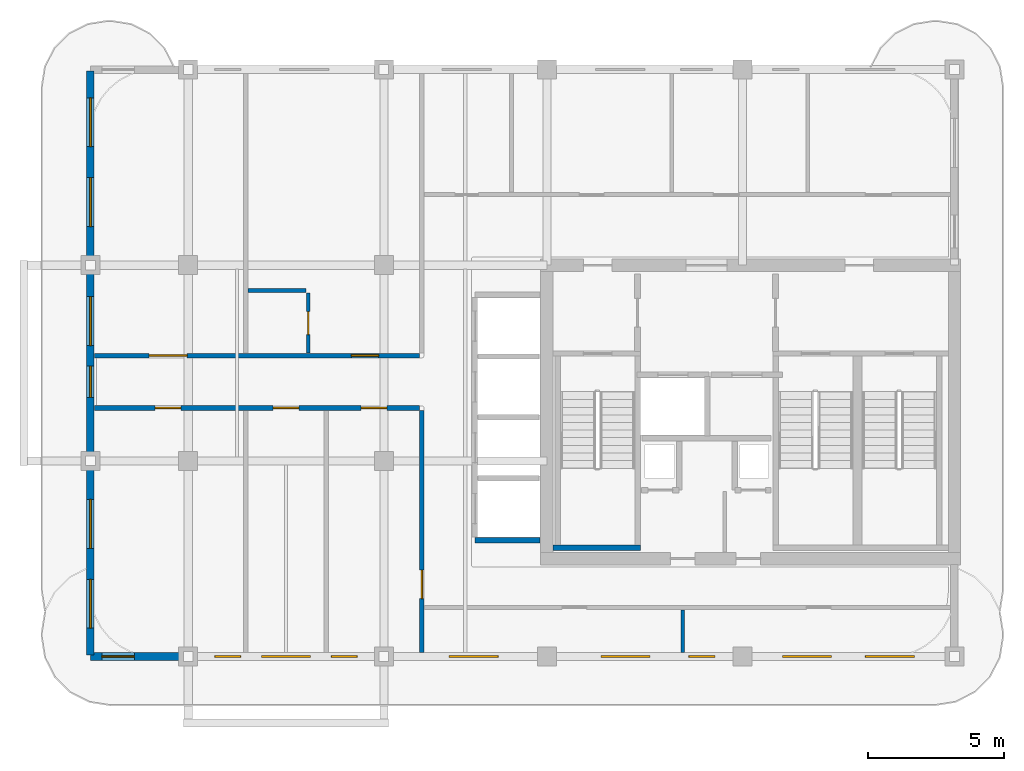
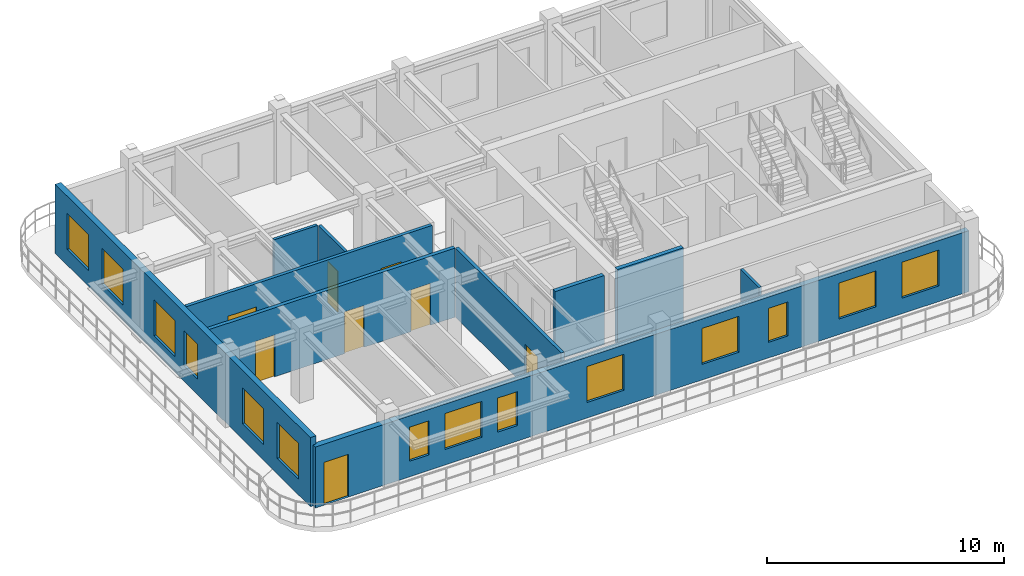
# One storey, part 2 of 7: 14 windows, 10 walls, 8 doors, 22 openings.
"""IFC4 building model written with IfcOpenShell, lengths in metres."""

from ifc_helpers import new_model, si_unit, derived_unit, direction, frame, frame_2d, origin, place, context, subcontext, project, spatial, rectangle, extrude, source, transform, mapped, material, layer, layer_set, type_object, type_shapes, element, fill, save


model = new_model("IFC4")

# Units and contexts
model_context = context("Model", 3, precision=1e-05, world=origin(), true_north=direction((0.0, 1.0)))
body_context = subcontext(model_context, "Body", "Model", "MODEL_VIEW")
ifc_project = project(units=[si_unit("LENGTHUNIT", "METRE"), si_unit("AREAUNIT", "SQUARE_METRE"), si_unit("VOLUMEUNIT", "CUBIC_METRE"), si_unit("PLANEANGLEUNIT", "RADIAN"), si_unit("MASSUNIT", "GRAM", prefix="KILO"), si_unit("THERMODYNAMICTEMPERATUREUNIT", "KELVIN"), si_unit("POWERUNIT", "WATT"), derived_unit("THERMALTRANSMITTANCEUNIT", [(si_unit("POWERUNIT", "WATT"), 1), (si_unit("AREAUNIT", "SQUARE_METRE"), -1), (si_unit("THERMODYNAMICTEMPERATUREUNIT", "KELVIN"), -1)])], contexts=[model_context])

# Site, building, storey
site_placement = place(None, origin())
site = spatial("IfcSite", under=ifc_project, at=site_placement, CompositionType="ELEMENT")
building_placement = place(site_placement, origin())
building = spatial("IfcBuilding", under=site, at=building_placement, Name="Zahravan Archway Hotel and Residences", CompositionType="ELEMENT")
storey_placement = place(building_placement, frame((0.0, 0.0, 290.449951171875)))
storey = spatial("IfcBuildingStorey", under=building, at=storey_placement, Name="L73", CompositionType="ELEMENT", Elevation=290.449951171875)

# Wall, openings, door, windows
ifc_material_1 = material(Name="Honed Red-Ochre Sandstone & Insulated Block", Category="masonry")
ifc_layer_1 = layer(ifc_material_1, 0.280029296875, Name="Honed Red-Ochre Sandstone & Insulated Block", Category="masonry")
ifc_layer_set_1 = layer_set([ifc_layer_1], Name="Honed Red-Ochre Sandstone & Insulated Block")
wall_type_1 = type_object("IfcWallType", Name="EW-LOG-280", PredefinedType="SOLIDWALL", material=ifc_layer_set_1)
wall_1_placement = place(storey_placement, frame((18.0, 0.0, 0.0), z_axis=(0.0, 0.0, 1.0), x_axis=(1.0, 0.0, 0.0)))
wall_1 = element("IfcWall", 1, at=wall_1_placement, inside=storey, type_object=wall_type_1, Name="L73 Exterior Sandstone Wall WA-S", PredefinedType="SOLIDWALL", context=body_context, shape_type="SweptSolid", body=[
    extrude(rectangle(XDim=31.800048828125, YDim=0.280029296875, at=frame_2d((15.89990234375, 0.0))), origin(), (0.0, 0.0, 1.0), 3.135009765625),
])
opening_1_placement = place(wall_1_placement, frame((0.419921875, 0.0, 0.0)))
opening_1 = element("IfcOpeningElement", 2, at=opening_1_placement, cuts=wall_1, Name="Opening ED-BL1", PredefinedType="OPENING", context=body_context, shape_type="SweptSolid", body=[
    extrude(rectangle(XDim=1.199951171875, YDim=2.199951171875, at=frame_2d((0.60009765625, 1.10009765625))), frame((0.0, 0.14990234375, 0.0), z_axis=(0.0, -1.0, 0.0), x_axis=(1.0, 0.0, 0.0)), (0.0, 0.0, 1.0), 0.300048828125),
])
opening_2_placement = place(wall_1_placement, frame((4.5810546875, 0.0, 0.800048828125)))
opening_2 = element("IfcOpeningElement", 3, at=opening_2_placement, cuts=wall_1, Name="Opening W-04", PredefinedType="OPENING", context=body_context, shape_type="SweptSolid", body=[
    extrude(rectangle(XDim=0.949951171875, YDim=1.75, at=frame_2d((0.47509765625, 0.875))), frame((0.0, 0.14990234375, 0.0), z_axis=(0.0, -1.0, 0.0), x_axis=(1.0, 0.0, 0.0)), (0.0, 0.0, 1.0), 0.300048828125),
])
opening_3_placement = place(wall_1_placement, frame((6.300048828125, 0.0, 0.800048828125)))
opening_3 = element("IfcOpeningElement", 4, at=opening_3_placement, cuts=wall_1, Name="Opening W-02", PredefinedType="OPENING", context=body_context, shape_type="SweptSolid", body=[
    extrude(rectangle(XDim=1.800048828125, YDim=1.85009765625, at=frame_2d((0.89990234375, 0.925048828125))), frame((0.0, 0.14990234375, 0.0), z_axis=(0.0, -1.0, 0.0), x_axis=(1.0, 0.0, 0.0)), (0.0, 0.0, 1.0), 0.300048828125),
])
opening_4_placement = place(wall_1_placement, frame((8.868896484375, 0.0, 0.800048828125)))
opening_4 = element("IfcOpeningElement", 5, at=opening_4_placement, cuts=wall_1, Name="Opening W-04", PredefinedType="OPENING", context=body_context, shape_type="SweptSolid", body=[
    extrude(rectangle(XDim=0.949951171875, YDim=1.75, at=frame_2d((0.47509765625, 0.875))), frame((0.0, 0.14990234375, 0.0), z_axis=(0.0, -1.0, 0.0), x_axis=(1.0, 0.0, 0.0)), (0.0, 0.0, 1.0), 0.300048828125),
])
opening_5_placement = place(wall_1_placement, frame((13.2041015625, 0.0, 0.800048828125)))
opening_5 = element("IfcOpeningElement", 6, at=opening_5_placement, cuts=wall_1, Name="Opening W-02", PredefinedType="OPENING", context=body_context, shape_type="SweptSolid", body=[
    extrude(rectangle(XDim=1.800048828125, YDim=1.85009765625, at=frame_2d((0.89990234375, 0.925048828125))), frame((0.0, 0.14990234375, 0.0), z_axis=(0.0, -1.0, 0.0), x_axis=(1.0, 0.0, 0.0)), (0.0, 0.0, 1.0), 0.300048828125),
])
opening_6_placement = place(wall_1_placement, frame((18.7958984375, 0.0, 0.800048828125)))
opening_6 = element("IfcOpeningElement", 7, at=opening_6_placement, cuts=wall_1, Name="Opening W-02", PredefinedType="OPENING", context=body_context, shape_type="SweptSolid", body=[
    extrude(rectangle(XDim=1.800048828125, YDim=1.85009765625, at=frame_2d((0.89990234375, 0.925048828125))), frame((0.0, 0.14990234375, 0.0), z_axis=(0.0, -1.0, 0.0), x_axis=(1.0, 0.0, 0.0)), (0.0, 0.0, 1.0), 0.300048828125),
])
opening_7_placement = place(wall_1_placement, frame((22.029052734375, 0.0, 0.800048828125)))
opening_7 = element("IfcOpeningElement", 8, at=opening_7_placement, cuts=wall_1, Name="Opening W-04", PredefinedType="OPENING", context=body_context, shape_type="SweptSolid", body=[
    extrude(rectangle(XDim=0.949951171875, YDim=1.75, at=frame_2d((0.47509765625, 0.875))), frame((0.0, 0.14990234375, 0.0), z_axis=(0.0, -1.0, 0.0), x_axis=(1.0, 0.0, 0.0)), (0.0, 0.0, 1.0), 0.300048828125),
])
opening_8_placement = place(wall_1_placement, frame((25.47509765625, 0.0, 0.800048828125)))
opening_8 = element("IfcOpeningElement", 9, at=opening_8_placement, cuts=wall_1, Name="Opening W-02", PredefinedType="OPENING", context=body_context, shape_type="SweptSolid", body=[
    extrude(rectangle(XDim=1.800048828125, YDim=1.85009765625, at=frame_2d((0.89990234375, 0.925048828125))), frame((0.0, 0.14990234375, 0.0), z_axis=(0.0, -1.0, 0.0), x_axis=(1.0, 0.0, 0.0)), (0.0, 0.0, 1.0), 0.300048828125),
])
opening_9_placement = place(wall_1_placement, frame((28.52490234375, 0.0, 0.800048828125)))
opening_9 = element("IfcOpeningElement", 10, at=opening_9_placement, cuts=wall_1, Name="Opening W-02", PredefinedType="OPENING", context=body_context, shape_type="SweptSolid", body=[
    extrude(rectangle(XDim=1.800048828125, YDim=1.85009765625, at=frame_2d((0.89990234375, 0.925048828125))), frame((0.0, 0.14990234375, 0.0), z_axis=(0.0, -1.0, 0.0), x_axis=(1.0, 0.0, 0.0)), (0.0, 0.0, 1.0), 0.300048828125),
])
ifc_material_2 = material(Name="Bronze-Anodized Glazed Aluminium", Category="aluminium")
door_type_1 = type_object("IfcDoorType", Name="ED-BALC-1200", OperationType="SLIDING_TO_LEFT", PredefinedType="DOOR", material=ifc_material_2)
shared_shape_1 = source(origin(), body_context, "Body", "SweptSolid", [
    extrude(rectangle(XDim=1.199951171875, YDim=2.199951171875, at=frame_2d((0.60009765625, 1.10009765625))), frame((0.0, 0.02490234375, 0.0), z_axis=(0.0, -1.0, 0.0), x_axis=(1.0, 0.0, 0.0)), (0.0, 0.0, 1.0), 0.050048828125),
])
type_shapes(door_type_1, [shared_shape_1])
door_1_placement = place(opening_1_placement, origin())
door_1 = element("IfcDoor", 11, at=door_1_placement, inside=storey, type_object=door_type_1, Name="L73 Outdoor Access Sliding Door (SLB-BAL-L73-SA)", OperationType="SLIDING_TO_LEFT", OverallHeight=2.199951171875, OverallWidth=1.199951171875, PredefinedType="DOOR", context=body_context, shape_type="MappedRepresentation", body=[
    mapped(shared_shape_1, transform((0.0, 0.0, 0.0), scale=1.0)),
])
fill(opening_1, door_1)
ifc_material_3 = material(Name="Bronze-Anodized Thermal-Break Aluminium & Low-E Glass", Category="aluminium")
window_type_1 = type_object("IfcWindowType", Name="WIN-NAR-950", PartitioningType="SINGLE_PANEL", PredefinedType="WINDOW", material=ifc_material_3)
shared_shape_2 = source(origin(), body_context, "Body", "SweptSolid", [
    extrude(rectangle(XDim=0.949951171875, YDim=1.75, at=frame_2d((0.47509765625, 0.875))), frame((0.0, 0.030029296875, 0.0), z_axis=(0.0, -1.0, 0.0), x_axis=(1.0, 0.0, 0.0)), (0.0, 0.0, 1.0), 0.06005859375),
])
type_shapes(window_type_1, [shared_shape_2])
window_1_placement = place(opening_2_placement, origin())
window_1 = element("IfcWindow", 12, at=window_1_placement, inside=storey, type_object=window_type_1, Name="L73 Loggia Window 01", OverallHeight=1.75, OverallWidth=0.949951171875, PartitioningType="SINGLE_PANEL", PredefinedType="WINDOW", context=body_context, shape_type="MappedRepresentation", body=[
    mapped(shared_shape_2, transform((0.0, 0.0, 0.0), scale=1.0)),
])
fill(opening_2, window_1)
window_2_placement = place(opening_4_placement, origin())
window_2 = element("IfcWindow", 13, at=window_2_placement, inside=storey, type_object=window_type_1, Name="L73 Loggia Window 03", OverallHeight=1.75, OverallWidth=0.949951171875, PartitioningType="SINGLE_PANEL", PredefinedType="WINDOW", context=body_context, shape_type="MappedRepresentation", body=[
    mapped(shared_shape_2, transform((0.0, 0.0, 0.0), scale=1.0)),
])
fill(opening_4, window_2)
window_3_placement = place(opening_7_placement, origin())
window_3 = element("IfcWindow", 14, at=window_3_placement, inside=storey, type_object=window_type_1, Name="L73 Loggia Window 06", OverallHeight=1.75, OverallWidth=0.949951171875, PartitioningType="SINGLE_PANEL", PredefinedType="WINDOW", context=body_context, shape_type="MappedRepresentation", body=[
    mapped(shared_shape_2, transform((0.0, 0.0, 0.0), scale=1.0)),
])
fill(opening_7, window_3)
window_type_2 = type_object("IfcWindowType", Name="WIN-TWR-1800", PartitioningType="DOUBLE_PANEL_VERTICAL", PredefinedType="WINDOW", material=ifc_material_3)
shared_shape_3 = source(origin(), body_context, "Body", "SweptSolid", [
    extrude(rectangle(XDim=1.800048828125, YDim=1.85009765625, at=frame_2d((0.89990234375, 0.925048828125))), frame((0.0, 0.030029296875, 0.0), z_axis=(0.0, -1.0, 0.0), x_axis=(1.0, 0.0, 0.0)), (0.0, 0.0, 1.0), 0.06005859375),
])
type_shapes(window_type_2, [shared_shape_3])
window_4_placement = place(opening_3_placement, origin())
window_4 = element("IfcWindow", 15, at=window_4_placement, inside=storey, type_object=window_type_2, Name="L73 Loggia Window 02", OverallHeight=1.85009765625, OverallWidth=1.800048828125, PartitioningType="DOUBLE_PANEL_VERTICAL", PredefinedType="WINDOW", context=body_context, shape_type="MappedRepresentation", body=[
    mapped(shared_shape_3, transform((0.0, 0.0, 0.0), scale=1.0)),
])
fill(opening_3, window_4)
window_5_placement = place(opening_5_placement, origin())
window_5 = element("IfcWindow", 16, at=window_5_placement, inside=storey, type_object=window_type_2, Name="L73 Loggia Window 04", OverallHeight=1.85009765625, OverallWidth=1.800048828125, PartitioningType="DOUBLE_PANEL_VERTICAL", PredefinedType="WINDOW", context=body_context, shape_type="MappedRepresentation", body=[
    mapped(shared_shape_3, transform((0.0, 0.0, 0.0), scale=1.0)),
])
fill(opening_5, window_5)
window_6_placement = place(opening_6_placement, origin())
window_6 = element("IfcWindow", 17, at=window_6_placement, inside=storey, type_object=window_type_2, Name="L73 Loggia Window 05", OverallHeight=1.85009765625, OverallWidth=1.800048828125, PartitioningType="DOUBLE_PANEL_VERTICAL", PredefinedType="WINDOW", context=body_context, shape_type="MappedRepresentation", body=[
    mapped(shared_shape_3, transform((0.0, 0.0, 0.0), scale=1.0)),
])
fill(opening_6, window_6)
window_7_placement = place(opening_8_placement, origin())
window_7 = element("IfcWindow", 18, at=window_7_placement, inside=storey, type_object=window_type_2, Name="L73 Loggia Window 07", OverallHeight=1.85009765625, OverallWidth=1.800048828125, PartitioningType="DOUBLE_PANEL_VERTICAL", PredefinedType="WINDOW", context=body_context, shape_type="MappedRepresentation", body=[
    mapped(shared_shape_3, transform((0.0, 0.0, 0.0), scale=1.0)),
])
fill(opening_8, window_7)
window_8_placement = place(opening_9_placement, origin())
window_8 = element("IfcWindow", 19, at=window_8_placement, inside=storey, type_object=window_type_2, Name="L73 Loggia Window 08", OverallHeight=1.85009765625, OverallWidth=1.800048828125, PartitioningType="DOUBLE_PANEL_VERTICAL", PredefinedType="WINDOW", context=body_context, shape_type="MappedRepresentation", body=[
    mapped(shared_shape_3, transform((0.0, 0.0, 0.0), scale=1.0)),
])
fill(opening_9, window_8)

# Wall, openings, windows
wall_2_placement = place(storey_placement, frame((18.0, 0.050048828125, 0.0), z_axis=(0.0, 0.0, 1.0), x_axis=(0.0, 1.0, 0.0)))
wall_2 = element("IfcWall", 20, at=wall_2_placement, inside=storey, type_object=wall_type_1, Name="L73 Exterior Sandstone Wall WA-W", PredefinedType="SOLIDWALL", context=body_context, shape_type="SweptSolid", body=[
    extrude(rectangle(XDim=21.5, YDim=0.280029296875, at=frame_2d((10.75, 0.0))), origin(), (0.0, 0.0, 1.0), 3.550048828125),
])
opening_10_placement = place(wall_2_placement, frame((0.989990234375, 0.0, 0.800048828125)))
opening_10 = element("IfcOpeningElement", 21, at=opening_10_placement, cuts=wall_2, Name="Opening W-02", PredefinedType="OPENING", context=body_context, shape_type="SweptSolid", body=[
    extrude(rectangle(XDim=1.800048828125, YDim=1.85009765625, at=frame_2d((0.89990234375, 0.925048828125))), frame((0.0, 0.14990234375, 0.0), z_axis=(0.0, -1.0, 0.0), x_axis=(1.0, 0.0, 0.0)), (0.0, 0.0, 1.0), 0.300048828125),
])
opening_11_placement = place(wall_2_placement, frame((3.929931640625, 0.0, 0.800048828125)))
opening_11 = element("IfcOpeningElement", 22, at=opening_11_placement, cuts=wall_2, Name="Opening W-02", PredefinedType="OPENING", context=body_context, shape_type="SweptSolid", body=[
    extrude(rectangle(XDim=1.800048828125, YDim=1.85009765625, at=frame_2d((0.89990234375, 0.925048828125))), frame((0.0, 0.14990234375, 0.0), z_axis=(0.0, -1.0, 0.0), x_axis=(1.0, 0.0, 0.0)), (0.0, 0.0, 1.0), 0.300048828125),
])
opening_12_placement = place(wall_2_placement, frame((9.485107421875, 0.0, 0.800048828125)))
opening_12 = element("IfcOpeningElement", 23, at=opening_12_placement, cuts=wall_2, Name="Opening W-05", PredefinedType="OPENING", context=body_context, shape_type="SweptSolid", body=[
    extrude(rectangle(XDim=1.14990234375, YDim=1.800048828125, at=frame_2d((0.574951171875, 0.89990234375))), frame((0.0, 0.14990234375, 0.0), z_axis=(0.0, -1.0, 0.0), x_axis=(1.0, 0.0, 0.0)), (0.0, 0.0, 1.0), 0.300048828125),
])
opening_13_placement = place(wall_2_placement, frame((11.388916015625, 0.0, 0.800048828125)))
opening_13 = element("IfcOpeningElement", 24, at=opening_13_placement, cuts=wall_2, Name="Opening W-02", PredefinedType="OPENING", context=body_context, shape_type="SweptSolid", body=[
    extrude(rectangle(XDim=1.800048828125, YDim=1.85009765625, at=frame_2d((0.89990234375, 0.925048828125))), frame((0.0, 0.14990234375, 0.0), z_axis=(0.0, -1.0, 0.0), x_axis=(1.0, 0.0, 0.0)), (0.0, 0.0, 1.0), 0.300048828125),
])
opening_14_placement = place(wall_2_placement, frame((15.77001953125, 0.0, 0.800048828125)))
opening_14 = element("IfcOpeningElement", 25, at=opening_14_placement, cuts=wall_2, Name="Opening W-02", PredefinedType="OPENING", context=body_context, shape_type="SweptSolid", body=[
    extrude(rectangle(XDim=1.800048828125, YDim=1.85009765625, at=frame_2d((0.89990234375, 0.925048828125))), frame((0.0, 0.14990234375, 0.0), z_axis=(0.0, -1.0, 0.0), x_axis=(1.0, 0.0, 0.0)), (0.0, 0.0, 1.0), 0.300048828125),
])
opening_15_placement = place(wall_2_placement, frame((18.7099609375, 0.0, 0.800048828125)))
opening_15 = element("IfcOpeningElement", 26, at=opening_15_placement, cuts=wall_2, Name="Opening W-02", PredefinedType="OPENING", context=body_context, shape_type="SweptSolid", body=[
    extrude(rectangle(XDim=1.800048828125, YDim=1.85009765625, at=frame_2d((0.89990234375, 0.925048828125))), frame((0.0, 0.14990234375, 0.0), z_axis=(0.0, -1.0, 0.0), x_axis=(1.0, 0.0, 0.0)), (0.0, 0.0, 1.0), 0.300048828125),
])
window_9_placement = place(opening_10_placement, origin())
window_9 = element("IfcWindow", 27, at=window_9_placement, inside=storey, type_object=window_type_2, Name="L73 Loggia Window 17", OverallHeight=1.85009765625, OverallWidth=1.800048828125, PartitioningType="DOUBLE_PANEL_VERTICAL", PredefinedType="WINDOW", context=body_context, shape_type="MappedRepresentation", body=[
    mapped(shared_shape_3, transform((0.0, 0.0, 0.0), scale=1.0)),
])
fill(opening_10, window_9)
window_10_placement = place(opening_11_placement, origin())
window_10 = element("IfcWindow", 28, at=window_10_placement, inside=storey, type_object=window_type_2, Name="L73 Loggia Window 18", OverallHeight=1.85009765625, OverallWidth=1.800048828125, PartitioningType="DOUBLE_PANEL_VERTICAL", PredefinedType="WINDOW", context=body_context, shape_type="MappedRepresentation", body=[
    mapped(shared_shape_3, transform((0.0, 0.0, 0.0), scale=1.0)),
])
fill(opening_11, window_10)
window_11_placement = place(opening_13_placement, origin())
window_11 = element("IfcWindow", 29, at=window_11_placement, inside=storey, type_object=window_type_2, Name="L73 Loggia Window 20", OverallHeight=1.85009765625, OverallWidth=1.800048828125, PartitioningType="DOUBLE_PANEL_VERTICAL", PredefinedType="WINDOW", context=body_context, shape_type="MappedRepresentation", body=[
    mapped(shared_shape_3, transform((0.0, 0.0, 0.0), scale=1.0)),
])
fill(opening_13, window_11)
window_12_placement = place(opening_14_placement, origin())
window_12 = element("IfcWindow", 30, at=window_12_placement, inside=storey, type_object=window_type_2, Name="L73 Loggia Window 21", OverallHeight=1.85009765625, OverallWidth=1.800048828125, PartitioningType="DOUBLE_PANEL_VERTICAL", PredefinedType="WINDOW", context=body_context, shape_type="MappedRepresentation", body=[
    mapped(shared_shape_3, transform((0.0, 0.0, 0.0), scale=1.0)),
])
fill(opening_14, window_12)
window_13_placement = place(opening_15_placement, origin())
window_13 = element("IfcWindow", 31, at=window_13_placement, inside=storey, type_object=window_type_2, Name="L73 Loggia Window 22", OverallHeight=1.85009765625, OverallWidth=1.800048828125, PartitioningType="DOUBLE_PANEL_VERTICAL", PredefinedType="WINDOW", context=body_context, shape_type="MappedRepresentation", body=[
    mapped(shared_shape_3, transform((0.0, 0.0, 0.0), scale=1.0)),
])
fill(opening_15, window_13)
window_type_3 = type_object("IfcWindowType", Name="WIN-TWR-1150", PartitioningType="SINGLE_PANEL", PredefinedType="WINDOW", material=ifc_material_3)
shared_shape_4 = source(origin(), body_context, "Body", "SweptSolid", [
    extrude(rectangle(XDim=1.14990234375, YDim=1.800048828125, at=frame_2d((0.574951171875, 0.89990234375))), frame((0.0, 0.030029296875, 0.0), z_axis=(0.0, -1.0, 0.0), x_axis=(1.0, 0.0, 0.0)), (0.0, 0.0, 1.0), 0.06005859375),
])
type_shapes(window_type_3, [shared_shape_4])
window_14_placement = place(opening_12_placement, origin())
window_14 = element("IfcWindow", 32, at=window_14_placement, inside=storey, type_object=window_type_3, Name="L73 Loggia Window 19", OverallHeight=1.800048828125, OverallWidth=1.14990234375, PartitioningType="SINGLE_PANEL", PredefinedType="WINDOW", context=body_context, shape_type="MappedRepresentation", body=[
    mapped(shared_shape_4, transform((0.0, 0.0, 0.0), scale=1.0)),
])
fill(opening_12, window_14)

# Wall, openings, doors
ifc_material_4 = material(Name="Fire-Rated Gypsum & Concrete Block", Category="concrete")
ifc_layer_2 = layer(ifc_material_4, 0.159912109375, Name="Fire-Rated Gypsum & Concrete Block", Category="concrete")
ifc_layer_set_2 = layer_set([ifc_layer_2], Name="Fire-Rated Gypsum & Concrete Block")
wall_type_2 = type_object("IfcWallType", Name="PW-CORR-160", PredefinedType="PARTITIONING", material=ifc_layer_set_2)
wall_3_placement = place(storey_placement, frame((18.14794921875, 11.070068359375, 0.0), z_axis=(0.0, 0.0, 1.0), x_axis=(1.0, 0.0, 0.0)))
wall_3 = element("IfcWall", 33, at=wall_3_placement, inside=storey, type_object=wall_type_2, Name="L73 Partition WA-CN", PredefinedType="PARTITIONING", context=body_context, shape_type="SweptSolid", body=[
    extrude(rectangle(XDim=11.962158203125, YDim=0.159912109375, at=frame_2d((5.98095703125, 0.0))), origin(), (0.0, 0.0, 1.0), 3.550048828125),
])
opening_16_placement = place(wall_3_placement, frame((2.011962890625, 0.0, 0.0)))
opening_16 = element("IfcOpeningElement", 34, at=opening_16_placement, cuts=wall_3, Name="Opening D-P1", PredefinedType="OPENING", context=body_context, shape_type="SweptSolid", body=[
    extrude(rectangle(XDim=1.39990234375, YDim=2.35009765625, at=frame_2d((0.699951171875, 1.175048828125))), frame((0.0, 0.08984375, 0.0), z_axis=(0.0, -1.0, 0.0), x_axis=(1.0, 0.0, 0.0)), (0.0, 0.0, 1.0), 0.179931640625),
])
opening_17_placement = place(wall_3_placement, frame((9.4619140625, 0.0, 0.0)))
opening_17 = element("IfcOpeningElement", 35, at=opening_17_placement, cuts=wall_3, Name="Opening D-U2", PredefinedType="OPENING", context=body_context, shape_type="SweptSolid", body=[
    extrude(rectangle(XDim=1.0, YDim=2.199951171875, at=frame_2d((0.5, 1.10009765625))), frame((0.0, 0.08984375, 0.0), z_axis=(0.0, -1.0, 0.0), x_axis=(1.0, 0.0, 0.0)), (0.0, 0.0, 1.0), 0.179931640625),
])
door_type_2 = type_object("IfcDoorType", Name="ID-PUBLIC-1400", OperationType="DOUBLE_DOOR_SINGLE_SWING", PredefinedType="DOOR", material=ifc_material_2)
shared_shape_5 = source(origin(), body_context, "Body", "SweptSolid", [
    extrude(rectangle(XDim=1.39990234375, YDim=2.35009765625, at=frame_2d((0.699951171875, 1.175048828125))), frame((0.0, 0.02490234375, 0.0), z_axis=(0.0, -1.0, 0.0), x_axis=(1.0, 0.0, 0.0)), (0.0, 0.0, 1.0), 0.050048828125),
])
type_shapes(door_type_2, [shared_shape_5])
door_2_placement = place(opening_16_placement, origin())
door_2 = element("IfcDoor", 36, at=door_2_placement, inside=storey, type_object=door_type_2, Name="L73 North Library Door", OperationType="DOUBLE_DOOR_SINGLE_SWING", OverallHeight=2.35009765625, OverallWidth=1.39990234375, PredefinedType="DOOR", context=body_context, shape_type="MappedRepresentation", body=[
    mapped(shared_shape_5, transform((0.0, 0.0, 0.0), scale=1.0)),
])
fill(opening_16, door_2)
ifc_material_5 = material(Name="Hardwood Veneer Timber", Category="wood")
door_type_3 = type_object("IfcDoorType", Name="ID-UNIT-1000", OperationType="NOTDEFINED", PredefinedType="DOOR", material=ifc_material_5)
shared_shape_6 = source(origin(), body_context, "Body", "SweptSolid", [
    extrude(rectangle(XDim=1.0, YDim=2.199951171875, at=frame_2d((0.5, 1.10009765625))), frame((0.0, 0.02490234375, 0.0), z_axis=(0.0, -1.0, 0.0), x_axis=(1.0, 0.0, 0.0)), (0.0, 0.0, 1.0), 0.050048828125),
])
type_shapes(door_type_3, [shared_shape_6])
door_3_placement = place(opening_17_placement, origin())
door_3 = element("IfcDoor", 37, at=door_3_placement, inside=storey, type_object=door_type_3, Name="L73 Hotel Guestroom 89 Entrance Door", OperationType="SINGLE_SWING_LEFT", OverallHeight=2.199951171875, OverallWidth=1.0, PredefinedType="DOOR", context=body_context, shape_type="MappedRepresentation", body=[
    mapped(shared_shape_6, transform((0.0, 0.0, 0.0), scale=1.0)),
])
fill(opening_17, door_3)

# Wall, opening, door
wall_4_placement = place(storey_placement, frame((30.199951171875, 0.14794921875, 0.0), z_axis=(0.0, 0.0, 1.0), x_axis=(0.0, 1.0, 0.0)))
wall_4 = element("IfcWall", 38, at=wall_4_placement, inside=storey, type_object=wall_type_2, Name="L73 Partition WA-SRW", PredefinedType="PARTITIONING", context=body_context, shape_type="SweptSolid", body=[
    extrude(rectangle(XDim=8.912109375, YDim=0.159912109375, at=frame_2d((4.4560546875, 0.0))), origin(), (0.0, 0.0, 1.0), 3.550048828125),
])
opening_18_placement = place(wall_4_placement, frame((1.97705078125, 0.0, 0.0)))
opening_18 = element("IfcOpeningElement", 39, at=opening_18_placement, cuts=wall_4, Name="Opening FD-L2", PredefinedType="OPENING", context=body_context, shape_type="SweptSolid", body=[
    extrude(rectangle(XDim=1.050048828125, YDim=2.14990234375, at=frame_2d((0.52490234375, 1.074951171875))), frame((0.0, 0.08984375, 0.0), z_axis=(0.0, -1.0, 0.0), x_axis=(1.0, 0.0, 0.0)), (0.0, 0.0, 1.0), 0.179931640625),
])
ifc_material_6 = material(Name="Fire-Rated Painted Steel", Category="steel")
door_type_4 = type_object("IfcDoorType", Name="FD-LOBBY-1100", OperationType="NOTDEFINED", PredefinedType="DOOR", material=ifc_material_6)
shared_shape_7 = source(origin(), body_context, "Body", "SweptSolid", [
    extrude(rectangle(XDim=1.050048828125, YDim=2.14990234375, at=frame_2d((0.52490234375, 1.074951171875))), frame((0.0, 0.02490234375, 0.0), z_axis=(0.0, -1.0, 0.0), x_axis=(1.0, 0.0, 0.0)), (0.0, 0.0, 1.0), 0.050048828125),
])
type_shapes(door_type_4, [shared_shape_7])
door_4_placement = place(opening_18_placement, origin())
door_4 = element("IfcDoor", 40, at=door_4_placement, inside=storey, type_object=door_type_4, Name="L73 South Riser Corridor Door", OperationType="SINGLE_SWING_RIGHT", OverallHeight=2.14990234375, OverallWidth=1.050048828125, PredefinedType="DOOR", context=body_context, shape_type="MappedRepresentation", body=[
    mapped(shared_shape_7, transform((0.0, 0.0, 0.0), scale=1.0)),
])
fill(opening_18, door_4)

# Wall, openings, doors
ifc_layer_3 = layer(ifc_material_4, 0.179931640625, Name="Fire-Rated Gypsum & Concrete Block", Category="concrete")
ifc_layer_set_3 = layer_set([ifc_layer_3], Name="Fire-Rated Gypsum & Concrete Block")
wall_type_3 = type_object("IfcWallType", Name="PW-CORR-180", PredefinedType="PARTITIONING", material=ifc_layer_set_3)
wall_5_placement = place(storey_placement, frame((18.14794921875, 9.14990234375, 0.0), z_axis=(0.0, 0.0, 1.0), x_axis=(1.0, 0.0, 0.0)))
wall_5 = element("IfcWall", 41, at=wall_5_placement, inside=storey, type_object=wall_type_3, Name="L73 Partition WA-CS", PredefinedType="PARTITIONING", context=body_context, shape_type="SweptSolid", body=[
    extrude(rectangle(XDim=11.962158203125, YDim=0.179931640625, at=frame_2d((5.98095703125, 0.0))), origin(), (0.0, 0.0, 1.0), 3.550048828125),
])
opening_19_placement = place(wall_5_placement, frame((2.237060546875, 0.0, 0.0)))
opening_19 = element("IfcOpeningElement", 42, at=opening_19_placement, cuts=wall_5, Name="Opening D-I1", PredefinedType="OPENING", context=body_context, shape_type="SweptSolid", body=[
    extrude(rectangle(XDim=0.949951171875, YDim=2.14990234375, at=frame_2d((0.47509765625, 1.074951171875))), frame((0.0, 0.10009765625, 0.0), z_axis=(0.0, -1.0, 0.0), x_axis=(1.0, 0.0, 0.0)), (0.0, 0.0, 1.0), 0.199951171875),
])
opening_20_placement = place(wall_5_placement, frame((6.576904296875, 0.0, 0.0)))
opening_20 = element("IfcOpeningElement", 43, at=opening_20_placement, cuts=wall_5, Name="Opening D-I1", PredefinedType="OPENING", context=body_context, shape_type="SweptSolid", body=[
    extrude(rectangle(XDim=0.949951171875, YDim=2.14990234375, at=frame_2d((0.47509765625, 1.074951171875))), frame((0.0, 0.10009765625, 0.0), z_axis=(0.0, -1.0, 0.0), x_axis=(1.0, 0.0, 0.0)), (0.0, 0.0, 1.0), 0.199951171875),
])
opening_21_placement = place(wall_5_placement, frame((9.81689453125, 0.0, 0.0)))
opening_21 = element("IfcOpeningElement", 44, at=opening_21_placement, cuts=wall_5, Name="Opening D-I1", PredefinedType="OPENING", context=body_context, shape_type="SweptSolid", body=[
    extrude(rectangle(XDim=0.949951171875, YDim=2.14990234375, at=frame_2d((0.47509765625, 1.074951171875))), frame((0.0, 0.10009765625, 0.0), z_axis=(0.0, -1.0, 0.0), x_axis=(1.0, 0.0, 0.0)), (0.0, 0.0, 1.0), 0.199951171875),
])
door_type_5 = type_object("IfcDoorType", Name="ID-INT-950", OperationType="NOTDEFINED", PredefinedType="DOOR", material=ifc_material_5)
shared_shape_8 = source(origin(), body_context, "Body", "SweptSolid", [
    extrude(rectangle(XDim=0.949951171875, YDim=2.14990234375, at=frame_2d((0.47509765625, 1.074951171875))), frame((0.0, 0.02490234375, 0.0), z_axis=(0.0, -1.0, 0.0), x_axis=(1.0, 0.0, 0.0)), (0.0, 0.0, 1.0), 0.050048828125),
])
type_shapes(door_type_5, [shared_shape_8])
door_5_placement = place(opening_19_placement, origin())
door_5 = element("IfcDoor", 45, at=door_5_placement, inside=storey, type_object=door_type_5, Name="L73 Therapy Suite 1 Door", OperationType="SINGLE_SWING_LEFT", OverallHeight=2.14990234375, OverallWidth=0.949951171875, PredefinedType="DOOR", context=body_context, shape_type="MappedRepresentation", body=[
    mapped(shared_shape_8, transform((0.0, 0.0, 0.0), scale=1.0)),
])
fill(opening_19, door_5)
door_6_placement = place(opening_20_placement, origin())
door_6 = element("IfcDoor", 46, at=door_6_placement, inside=storey, type_object=door_type_5, Name="L73 Therapy Suite 2 Door", OperationType="SINGLE_SWING_RIGHT", OverallHeight=2.14990234375, OverallWidth=0.949951171875, PredefinedType="DOOR", context=body_context, shape_type="MappedRepresentation", body=[
    mapped(shared_shape_8, transform((0.0, 0.0, 0.0), scale=1.0)),
])
fill(opening_20, door_6)
door_7_placement = place(opening_21_placement, origin())
door_7 = element("IfcDoor", 47, at=door_7_placement, inside=storey, type_object=door_type_5, Name="L73 Wellness Clinic Door", OperationType="SINGLE_SWING_LEFT", OverallHeight=2.14990234375, OverallWidth=0.949951171875, PredefinedType="DOOR", context=body_context, shape_type="MappedRepresentation", body=[
    mapped(shared_shape_8, transform((0.0, 0.0, 0.0), scale=1.0)),
])
fill(opening_21, door_7)

# Walls
ifc_material_7 = material(Name="Acoustic Stud Partition")
ifc_layer_4 = layer(ifc_material_7, 0.125, Name="Acoustic Stud Partition")
ifc_layer_set_4 = layer_set([ifc_layer_4], Name="Acoustic Stud Partition")
wall_type_4 = type_object("IfcWallType", Name="PW-INT-125", PredefinedType="PARTITIONING", material=ifc_layer_set_4)
wall_6_placement = place(storey_placement, frame((39.800048828125, 0.14794921875, 0.0), z_axis=(0.0, 0.0, 1.0), x_axis=(0.0, 1.0, 0.0)))
element("IfcWall", 48, at=wall_6_placement, inside=storey, type_object=wall_type_4, Name="L73 Partition S-DIV1", PredefinedType="PARTITIONING", context=body_context, shape_type="SweptSolid", body=[
    extrude(rectangle(XDim=1.56201171875, YDim=0.125, at=frame_2d((0.781005859375, 0.0))), origin(), (0.0, 0.0, 1.0), 3.550048828125),
])
ifc_layer_5 = layer(ifc_material_4, 0.199951171875, Name="Fire-Rated Gypsum & Concrete Block", Category="concrete")
ifc_layer_set_5 = layer_set([ifc_layer_5], Name="Fire-Rated Gypsum & Concrete Block")
wall_type_5 = type_object("IfcWallType", Name="PW-SHAFT-200", PredefinedType="PARTITIONING", material=ifc_layer_set_5)
wall_7_placement = place(storey_placement, frame((32.159912109375, 4.280029296875, 0.0), z_axis=(0.0, 0.0, 1.0), x_axis=(1.0, 0.0, 0.0)))
element("IfcWall", 49, at=wall_7_placement, inside=storey, type_object=wall_type_5, Name="L73 Partition B3-S", PredefinedType="PARTITIONING", context=body_context, shape_type="SweptSolid", body=[
    extrude(rectangle(XDim=2.385009765625, YDim=0.199951171875, at=frame_2d((1.1923828125, 0.0))), origin(), (0.0, 0.0, 1.0), 3.550048828125),
])

# Wall, opening, door
ifc_material_8 = material(Name="Moisture-Resistant Blockwork", Category="masonry")
ifc_layer_6 = layer(ifc_material_8, 0.139892578125, Name="Moisture-Resistant Blockwork", Category="masonry")
ifc_layer_set_6 = layer_set([ifc_layer_6], Name="Moisture-Resistant Blockwork")
wall_type_6 = type_object("IfcWallType", Name="PW-WET-140", PredefinedType="PARTITIONING", material=ifc_layer_set_6)
wall_8_placement = place(storey_placement, frame((26.02001953125, 11.159912109375, 0.0), z_axis=(0.0, 0.0, 1.0), x_axis=(0.0, 1.0, 0.0)))
wall_8 = element("IfcWall", 50, at=wall_8_placement, inside=storey, type_object=wall_type_6, Name="L73 Partition HKB-V89", PredefinedType="PARTITIONING", context=body_context, shape_type="SweptSolid", body=[
    extrude(rectangle(XDim=2.219970703125, YDim=0.139892578125, at=frame_2d((1.10986328125, 0.0))), origin(), (0.0, 0.0, 1.0), 3.550048828125),
])
opening_22_placement = place(wall_8_placement, frame((0.68505859375, 0.0, 0.0)))
opening_22 = element("IfcOpeningElement", 51, at=opening_22_placement, cuts=wall_8, Name="Opening D-B1", PredefinedType="OPENING", context=body_context, shape_type="SweptSolid", body=[
    extrude(rectangle(XDim=0.85009765625, YDim=2.10009765625, at=frame_2d((0.425048828125, 1.050048828125))), frame((0.0, 0.080078125, 0.0), z_axis=(0.0, -1.0, 0.0), x_axis=(1.0, 0.0, 0.0)), (0.0, 0.0, 1.0), 0.159912109375),
])
door_type_6 = type_object("IfcDoorType", Name="ID-BATH-850", OperationType="NOTDEFINED", PredefinedType="DOOR", material=ifc_material_5)
shared_shape_9 = source(origin(), body_context, "Body", "SweptSolid", [
    extrude(rectangle(XDim=0.85009765625, YDim=2.10009765625, at=frame_2d((0.425048828125, 1.050048828125))), frame((0.0, 0.02490234375, 0.0), z_axis=(0.0, -1.0, 0.0), x_axis=(1.0, 0.0, 0.0)), (0.0, 0.0, 1.0), 0.050048828125),
])
type_shapes(door_type_6, [shared_shape_9])
door_8_placement = place(opening_22_placement, origin())
door_8 = element("IfcDoor", 52, at=door_8_placement, inside=storey, type_object=door_type_6, Name="L73 Guestroom 89 En-Suite Door", OperationType="SINGLE_SWING_RIGHT", OverallHeight=2.10009765625, OverallWidth=0.85009765625, PredefinedType="DOOR", context=body_context, shape_type="MappedRepresentation", body=[
    mapped(shared_shape_9, transform((0.0, 0.0, 0.0), scale=1.0)),
])
fill(opening_22, door_8)

# Walls
wall_9_placement = place(storey_placement, frame((23.81005859375, 13.469970703125, 0.0), z_axis=(0.0, 0.0, 1.0), x_axis=(1.0, 0.0, 0.0)))
element("IfcWall", 53, at=wall_9_placement, inside=storey, type_object=wall_type_6, Name="L73 Partition HKB-H89", PredefinedType="PARTITIONING", context=body_context, shape_type="SweptSolid", body=[
    extrude(rectangle(XDim=2.119873046875, YDim=0.139892578125, at=frame_2d((1.06005859375, 0.0))), origin(), (0.0, 0.0, 1.0), 3.550048828125),
])
ifc_material_9 = material(Name="Concrete C50/60", Category="concrete")
ifc_layer_7 = layer(ifc_material_9, 0.199951171875, Name="Concrete C50/60", Category="concrete")
ifc_layer_set_7 = layer_set([ifc_layer_7], Name="Concrete C50/60")
wall_type_7 = type_object("IfcWallType", Name="SW-STAIR-200", PredefinedType="SHEAR", material=ifc_layer_set_7)
wall_10_placement = place(storey_placement, frame((35.02490234375, 4.0, 0.0), z_axis=(0.0, 0.0, 1.0), x_axis=(1.0, 0.0, 0.0)))
element("IfcWall", 54, at=wall_10_placement, inside=storey, type_object=wall_type_7, Name="L73 Stairwell RC Wall CA-SA1S", PredefinedType="SHEAR", context=body_context, shape_type="SweptSolid", body=[
    extrude(rectangle(XDim=3.215087890625, YDim=0.199951171875, at=frame_2d((1.607421875, 0.0))), origin(), (0.0, 0.0, 1.0), 3.85009765625),
])

save(model, "model.ifc")
